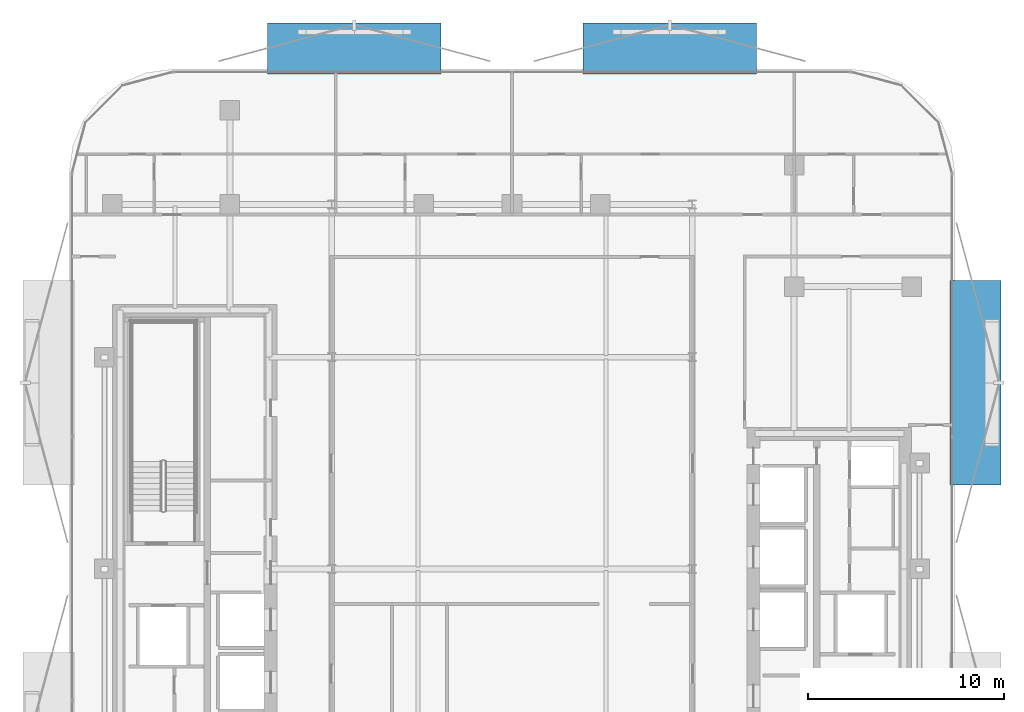
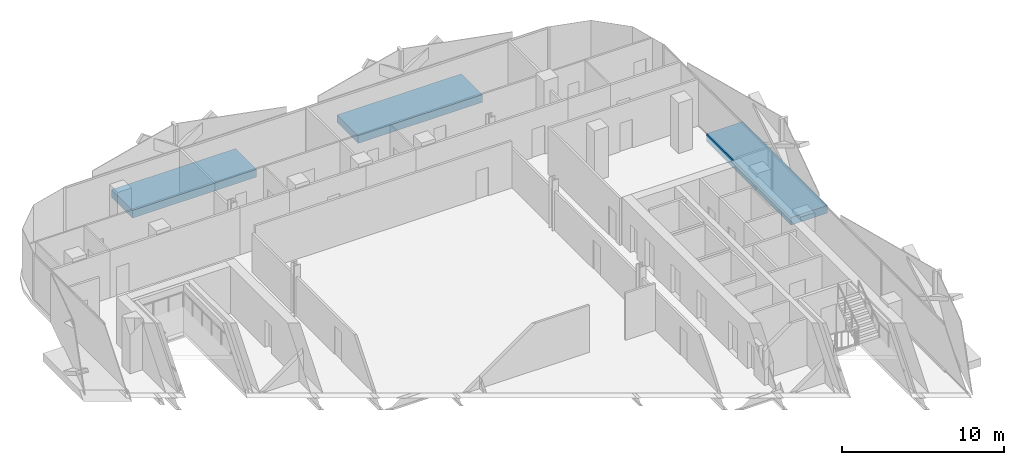
# One storey, part 8 of 17: 3 discrete accessories.
"""IFC4 building model written with IfcOpenShell, lengths in metres."""

from ifc_helpers import new_model, si_unit, direction, frame, origin, origin_2d, place, context, subcontext, project, spatial, rectangle, extrude, material, type_object, element, save


model = new_model("IFC4")

# Units and contexts
model_context = context("Model", 3, precision=1e-05, world=origin(), true_north=direction((0.0, 1.0)))
body_context = subcontext(model_context, "Body", "Model", "MODEL_VIEW")
ifc_project = project(units=[si_unit("LENGTHUNIT", "METRE"), si_unit("AREAUNIT", "SQUARE_METRE"), si_unit("VOLUMEUNIT", "CUBIC_METRE"), si_unit("PLANEANGLEUNIT", "RADIAN"), si_unit("MASSUNIT", "GRAM", prefix="KILO")], contexts=[model_context])

# Site, building, storey
site_placement = place(None, origin())
site = spatial("IfcSite", under=ifc_project, at=site_placement, CompositionType="ELEMENT")
building_placement = place(site_placement, origin())
building = spatial("IfcBuilding", under=site, at=building_placement, Name="Khairoan Windgate Tower", CompositionType="ELEMENT")
storey_placement = place(building_placement, frame((0.0, 0.0, 199.199951171875)))
storey = spatial("IfcBuildingStorey", under=building, at=storey_placement, Name="L46", CompositionType="ELEMENT", Elevation=199.199951171875)

# Discrete accessories
ifc_material = material(Name="Steel S355", Category="steel")
discrete_accessory_type = type_object("IfcDiscreteAccessoryType", Name="Solar Screen Outrigger Slab Bracket SSB-1", PredefinedType="BRACKET", material=ifc_material)
for number, where, z_axis, x_axis, name in (
    (1, (-8.04541015625, 26.56005859375, -0.419921875), (0.0, 0.0, 1.0), (1.0, 0.0, 0.0), "L46 Solar Screen Outrigger Bracket 309"),
    (2, (8.04541015625, 26.56005859375, -0.419921875), (0.0, 0.0, 1.0), (1.0, 0.0, 0.0), "L46 Solar Screen Outrigger Bracket 310"),
):
    element("IfcDiscreteAccessory", number, at=place(storey_placement, frame(where, z_axis=z_axis, x_axis=x_axis)), inside=storey, type_object=discrete_accessory_type, Name=name, PredefinedType="BRACKET", context=body_context, shape_type="SweptSolid", body=[
        extrude(rectangle(XDim=8.85009765625, YDim=2.60009765625, at=origin_2d()), origin(), (0.0, 0.0, 1.0), 0.580078125),
    ])
discrete_accessory_placement = place(storey_placement, frame((23.659912109375, 9.495361328125, -0.419921875), z_axis=(0.0, 0.0, 1.0), x_axis=(0.0, -1.0, 0.0)))
element("IfcDiscreteAccessory", 3, at=discrete_accessory_placement, inside=storey, type_object=discrete_accessory_type, Name="L46 Solar Screen Outrigger Bracket 311", PredefinedType="BRACKET", context=body_context, shape_type="SweptSolid", body=[
    extrude(rectangle(XDim=10.445068359375, YDim=2.60009765625, at=origin_2d()), origin(), (0.0, 0.0, 1.0), 0.580078125),
])

save(model, "model.ifc")
